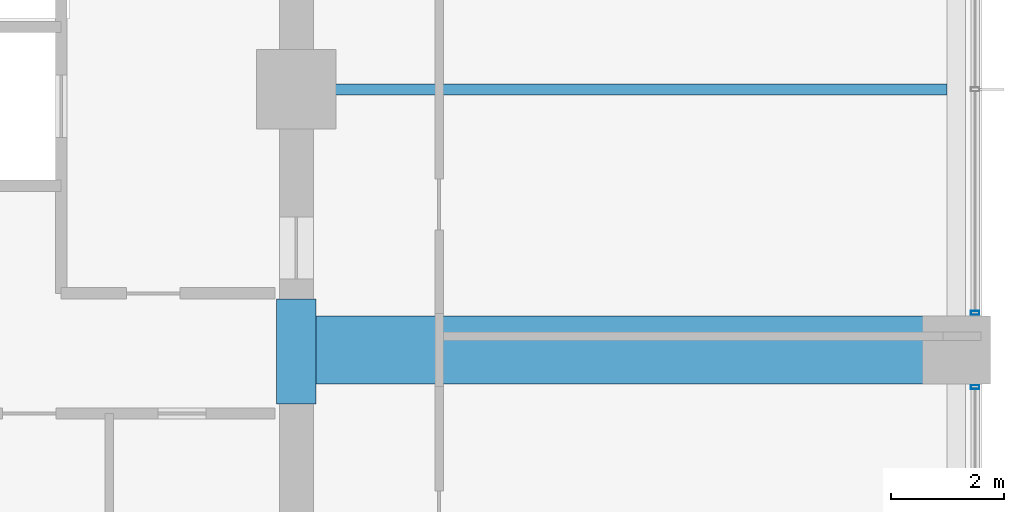
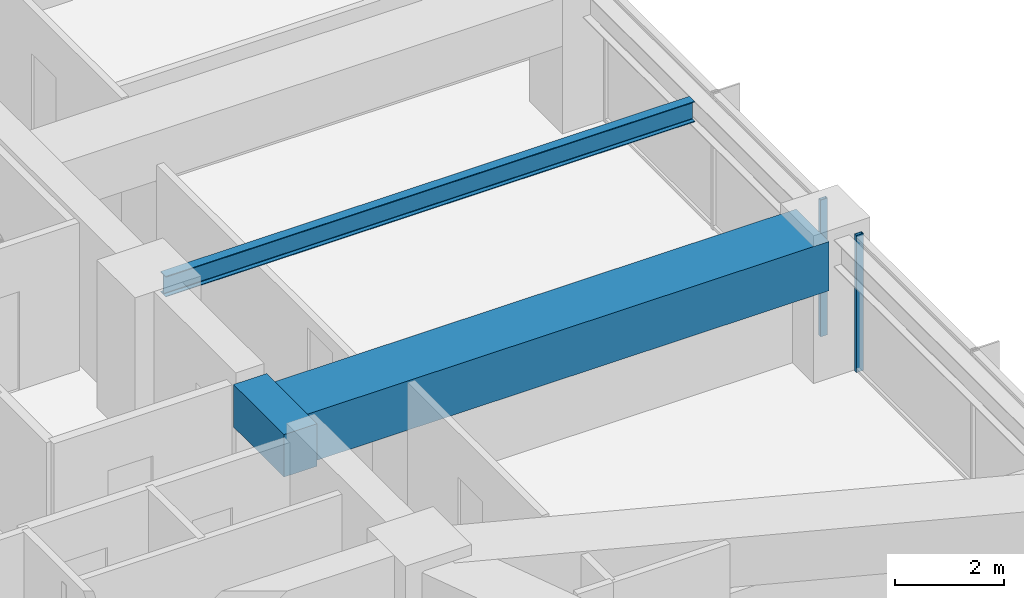
# One storey, part 14 of 37: 3 beams, 2 members, 2 elements without a shape of their own.
"""IFC4 building model written with IfcOpenShell, lengths in metres."""

import ifcopenshell
import ifcopenshell.guid

model = None  # the IFC model being written
_history = None  # IfcOwnerHistory: only IFC2X3 demands one
_inside = {}  # id of a spatial element -> (the spatial element, [elements in it])
_under = {}  # id of a project, library or spatial element -> (it, [spatial elements below it])
_declared = {}  # id of a project -> (the project, [libraries it declares])
_typed = {}  # id of a type object -> (the type object, [elements of that type])
_made_of = {}  # id of a material, layer set ... -> (it, [elements and type objects made of it])


def new_model(schema):
    """Start an empty IFC model of exactly this schema.

    Asked for "IFC4X3", IfcOpenShell would pick the latest addendum, in which some entities
    have other attributes; the version numbers below select the first issue.
    IFC2X3 requires an IfcOwnerHistory on every rooted entity: one is made here for all.
    """
    global model, _history
    if schema == "IFC4X3":
        model = ifcopenshell.file(schema_version=(4, 3, 0, 0))
    else:
        model = ifcopenshell.file(schema=schema)
    _inside.clear()
    _under.clear()
    _declared.clear()
    _typed.clear()
    _made_of.clear()
    _history = None
    if model.schema == "IFC2X3":
        org = make("IfcOrganization", Name="unknown")
        user = make(
            "IfcPersonAndOrganization",
            ThePerson=make("IfcPerson", FamilyName="unknown"),
            TheOrganization=org,
        )
        app = make(
            "IfcApplication",
            ApplicationDeveloper=org,
            Version="unknown",
            ApplicationFullName="unknown",
            ApplicationIdentifier="unknown",
        )
        _history = make(
            "IfcOwnerHistory",
            OwningUser=user,
            OwningApplication=app,
            ChangeAction="ADDED",
            CreationDate=0,
        )
    return model


def make(cls, **values):
    """One entity of the class cls with the attributes given. An attribute that is None is left unset."""
    return model.create_entity(
        cls, **{name: value for name, value in values.items() if value is not None}
    )


def rooted(cls, **values):
    """An entity with a GlobalId (a new one), such as an element, a storey or a relation."""
    return make(cls, GlobalId=ifcopenshell.guid.new(), OwnerHistory=_history, **values)


def si_unit(unit_type, name, prefix=None):
    """IfcSIUnit, for example si_unit("LENGTHUNIT", "METRE", prefix="MILLI")."""
    return make("IfcSIUnit", UnitType=unit_type, Prefix=prefix, Name=name)


def assignment(units):
    """IfcUnitAssignment: the units of a project."""
    return None if units is None else make("IfcUnitAssignment", Units=units)


def point(xyz):
    """IfcCartesianPoint."""
    return None if xyz is None else make("IfcCartesianPoint", Coordinates=xyz)


def direction(xyz):
    """IfcDirection."""
    return None if xyz is None else make("IfcDirection", DirectionRatios=xyz)


def frame(location, z_axis=None, x_axis=None):
    """IfcAxis2Placement3D, a coordinate frame: its origin and axes. An axis left out is left unset."""
    return make(
        "IfcAxis2Placement3D",
        Location=point(location),
        Axis=direction(z_axis),
        RefDirection=direction(x_axis),
    )


def frame_2d(location, x_axis=None):
    """IfcAxis2Placement2D, a coordinate frame in the plane: its origin and x axis."""
    return make(
        "IfcAxis2Placement2D", Location=point(location), RefDirection=direction(x_axis)
    )


def origin():
    """The frame at (0, 0, 0) with its axes left unset."""
    return frame((0.0, 0.0, 0.0))


def origin_2d():
    """The frame at (0, 0) in the plane with its x axis left unset."""
    return frame_2d((0.0, 0.0))


def place(relative_to, where):
    """IfcLocalPlacement: puts the frame where relative to a parent placement (None: the world)."""
    return make(
        "IfcLocalPlacement", PlacementRelTo=relative_to, RelativePlacement=where
    )


def context(
    kind, dimensions, precision=None, world=None, true_north=None, identifier=None
):
    """IfcGeometricRepresentationContext, for example the 3D "Model" context."""
    return make(
        "IfcGeometricRepresentationContext",
        ContextIdentifier=identifier,
        ContextType=kind,
        CoordinateSpaceDimension=dimensions,
        Precision=precision,
        WorldCoordinateSystem=world,
        TrueNorth=true_north,
    )


def subcontext(parent, identifier, kind, view, scale=None):
    """IfcGeometricRepresentationSubContext, for example "Body" below "Model"."""
    return make(
        "IfcGeometricRepresentationSubContext",
        ContextIdentifier=identifier,
        ContextType=kind,
        ParentContext=parent,
        TargetScale=scale,
        TargetView=view,
    )


def project(units=None, contexts=None):
    """IfcProject with its units and contexts."""
    return rooted(
        "IfcProject",
        Name="project",
        RepresentationContexts=contexts,
        UnitsInContext=assignment(units),
    )


def spatial(cls, under=None, at=None, **own):
    """A site, building, storey or space (cls), placed at a placement, below another one or the project."""
    s = rooted(cls, ObjectPlacement=at, **own)
    if under is not None:
        _under.setdefault(under.id(), (under, []))[1].append(s)
    return s


def profile(cls, at=None, kind="AREA", **sizes):
    """A parametric profile (cls). Its sizes go by their IFC names, for example OverallWidth=200.0."""
    return make(cls, ProfileType=kind, Position=at, **sizes)


def rectangle(**sizes):
    """IfcRectangleProfileDef."""
    return profile("IfcRectangleProfileDef", **sizes)


def hollow_rectangle(**sizes):
    """IfcRectangleHollowProfileDef."""
    return profile("IfcRectangleHollowProfileDef", **sizes)


def i_section(**sizes):
    """IfcIShapeProfileDef."""
    return profile("IfcIShapeProfileDef", **sizes)


def extrude(swept, where, along, depth):
    """IfcExtrudedAreaSolid: the profile swept, set in the frame where, extruded along a direction by depth."""
    return make(
        "IfcExtrudedAreaSolid",
        SweptArea=swept,
        Position=where,
        ExtrudedDirection=direction(along),
        Depth=depth,
    )


def shape(context_of_items, identifier, shape_type, items):
    """IfcShapeRepresentation: the items that make up one representation, for example the "Body"."""
    return make(
        "IfcShapeRepresentation",
        ContextOfItems=context_of_items,
        RepresentationIdentifier=identifier,
        RepresentationType=shape_type,
        Items=items,
    )


def material(Name=None, Category=None):
    """IfcMaterial."""
    return make("IfcMaterial", Name=Name, Category=Category)


def material_profile(
    of_material, cross_section, Name=None, Category=None, Priority=None
):
    """IfcMaterialProfile: a cross section and its material."""
    return make(
        "IfcMaterialProfile",
        Name=Name,
        Material=of_material,
        Profile=cross_section,
        Priority=Priority,
        Category=Category,
    )


def profile_set(profiles, Name=None, composite=None):
    """IfcMaterialProfileSet."""
    return make(
        "IfcMaterialProfileSet",
        Name=Name,
        MaterialProfiles=profiles,
        CompositeProfile=composite,
    )


def made_of(thing, what):
    """Note that an element or type object is made of a material, layer set ...; save() writes the relation."""
    if what is not None:
        _made_of.setdefault(what.id(), (what, []))[1].append(thing)
    return thing


def type_object(cls, material=None, **own):
    """A type object (cls), such as IfcWallType, which elements share."""
    return made_of(rooted(cls, **own), material)


def element(
    cls,
    number,
    at=None,
    inside=None,
    cuts=None,
    type_object=None,
    material=None,
    context=None,
    identifier="Body",
    shape_type=None,
    held_by="IfcProductDefinitionShape",
    body=None,
    shapes=None,
    **own,
):
    """One element of the class cls, such as IfcWall. Its Tag is "e" and its number.

    at: its placement. inside: the storey or other place that contains it. cuts: it is an
    opening in that element (IfcRelVoidsElement). A single representation is given by context,
    identifier, shape_type and body (its items); several are given by shapes. held_by: the class
    of the entity that holds the representations. save() writes the other relations.
    """
    e = rooted(cls, Tag="e%d" % number, ObjectPlacement=at, **own)
    if body is not None:
        shapes = [shape(context, identifier, shape_type, body)]
    if shapes is not None:
        e.Representation = make(held_by, Representations=shapes)
    if inside is not None:
        _inside.setdefault(inside.id(), (inside, []))[1].append(e)
    if cuts is not None:
        rooted(
            "IfcRelVoidsElement", RelatingBuildingElement=cuts, RelatedOpeningElement=e
        )
    if type_object is not None:
        _typed.setdefault(type_object.id(), (type_object, []))[1].append(e)
    return made_of(e, material)


def aggregate(whole, parts):
    """IfcRelAggregates: a whole, such as a stair, and the parts it consists of."""
    return rooted("IfcRelAggregates", RelatingObject=whole, RelatedObjects=parts)


def save(model, path):
    """Write the relations noted so far, then the file.

    IfcRelAggregates (storeys below a building ...), IfcRelContainedInSpatialStructure (elements
    in a storey), IfcRelDefinesByType, IfcRelAssociatesMaterial and IfcRelDeclares: one each for
    every whole, place, type object, material and project.
    """
    for whole, parts in _under.values():
        aggregate(whole, parts)
    for where, things in _inside.values():
        rooted(
            "IfcRelContainedInSpatialStructure",
            RelatedElements=things,
            RelatingStructure=where,
        )
    for kind, things in _typed.values():
        rooted("IfcRelDefinesByType", RelatedObjects=things, RelatingType=kind)
    for what, things in _made_of.values():
        rooted("IfcRelAssociatesMaterial", RelatedObjects=things, RelatingMaterial=what)
    for by, libraries in _declared.values():
        rooted("IfcRelDeclares", RelatingContext=by, RelatedDefinitions=libraries)
    model.write(path)


model = new_model("IFC4")

# Units and contexts
model_context = context("Model", 3, precision=1e-05, world=origin(), true_north=direction((0.0, 1.0)))
body_context = subcontext(model_context, "Body", "Model", "MODEL_VIEW")
ifc_project = project(units=[si_unit("LENGTHUNIT", "METRE"), si_unit("AREAUNIT", "SQUARE_METRE"), si_unit("VOLUMEUNIT", "CUBIC_METRE"), si_unit("PLANEANGLEUNIT", "RADIAN"), si_unit("MASSUNIT", "GRAM", prefix="KILO")], contexts=[model_context])

# Site, building, storey
site_placement = place(None, origin())
site = spatial("IfcSite", under=ifc_project, at=site_placement, CompositionType="ELEMENT")
building_placement = place(site_placement, origin())
building = spatial("IfcBuilding", under=site, at=building_placement, Name="Kolvaren Belvedere", CompositionType="ELEMENT")
storey_placement = place(building_placement, frame((0.0, 0.0, 37.0)))
storey = spatial("IfcBuildingStorey", under=building, at=storey_placement, Name="L10", CompositionType="ELEMENT", Elevation=37.0)

# Beams
ifc_material_1 = material(Name="Structural steel ASTM A992 Grade 50", Category="steel")
ifc_material_profile_1 = material_profile(ifc_material_1, i_section(OverallWidth=0.19091796875, OverallDepth=0.4599609375, WebThickness=0.010009765625, FlangeThickness=0.01611328125, FilletRadius=0.014892578125, at=origin_2d()), Name="W18X55")
ifc_profile_set_1 = profile_set([ifc_material_profile_1], Name="Structural steel ASTM A992 Grade 50")
beam_type_1 = type_object("IfcBeamType", Name="BM-JOIST-W18X55", PredefinedType="BEAM", material=ifc_profile_set_1)
beam_1_placement = place(storey_placement, frame((10.199951171875, 0.0, 2.830078125), z_axis=(1.0, 0.0, 0.0), x_axis=(0.0, 1.0, 0.0)))
element("IfcBeam", 1, at=beam_1_placement, inside=storey, type_object=beam_type_1, Name="L10 East Centre Floor Beam", PredefinedType="BEAM", context=body_context, shape_type="SweptSolid", body=[
    extrude(i_section(OverallWidth=0.19091796875, OverallDepth=0.4599609375, WebThickness=0.010009765625, FlangeThickness=0.01611328125, FilletRadius=0.014892578125, at=origin_2d()), origin(), (0.0, 0.0, 1.0), 11.1875),
])
ifc_material_2 = material(Name="Concrete C60/75", Category="concrete")
ifc_material_profile_2 = material_profile(ifc_material_2, rectangle(XDim=0.699951171875, YDim=0.949951171875, at=origin_2d()), Name="RC 700X950")
ifc_profile_set_2 = profile_set([ifc_material_profile_2], Name="Concrete C60/75")
beam_type_2 = type_object("IfcBeamType", Name="BM-LINT-950", PredefinedType="LINTEL", material=ifc_profile_set_2)
beam_2_placement = place(storey_placement, frame((9.89990234375, -5.550048828125, 2.5849609375), z_axis=(0.0, 1.0, 0.0), x_axis=(-1.0, 0.0, 0.0)))
element("IfcBeam", 2, at=beam_2_placement, inside=storey, type_object=beam_type_2, Name="L10 East Core Coupling Lintel", PredefinedType="LINTEL", context=body_context, shape_type="SweptSolid", body=[
    extrude(rectangle(XDim=0.699951171875, YDim=0.949951171875, at=origin_2d()), origin(), (0.0, 0.0, 1.0), 1.85009765625),
])
ifc_material_3 = material(Name="Concrete C50/60", Category="concrete")
ifc_material_profile_3 = material_profile(ifc_material_3, rectangle(XDim=1.199951171875, YDim=1.10009765625, at=origin_2d()), Name="RC 1200X1100")
ifc_profile_set_3 = profile_set([ifc_material_profile_3], Name="Concrete C50/60")
beam_type_3 = type_object("IfcBeamType", Name="BM-TG-1100", PredefinedType="BEAM", material=ifc_profile_set_3)
beam_3_placement = place(storey_placement, frame((10.199951171875, -4.60009765625, 2.510009765625), z_axis=(1.0, 0.0, 0.0), x_axis=(0.0, 1.0, 0.0)))
element("IfcBeam", 3, at=beam_3_placement, inside=storey, type_object=beam_type_3, Name="L10 East Radial Girder M", PredefinedType="BEAM", context=body_context, shape_type="SweptSolid", body=[
    extrude(rectangle(XDim=1.199951171875, YDim=1.10009765625, at=origin_2d()), origin(), (0.0, 0.0, 1.0), 11.080078125),
])

# Curtain wall, member
ifc_material_4 = material(Name="Anodised pale-metal aluminium AA 6063-T6", Category="aluminium")
curtain_wall_type = type_object("IfcCurtainWallType", Name="CW-Z1-LOW", PredefinedType="NOTDEFINED", material=ifc_material_4)
curtain_wall_1_placement = place(storey_placement, origin())
curtain_wall_1 = element("IfcCurtainWall", 4, at=curtain_wall_1_placement, inside=storey, type_object=curtain_wall_type, Name="L10 Unitised Curtain Wall FCW-L10-E-B2", PredefinedType="NOTDEFINED")
ifc_material_5 = material(Name="Anodised pale-metal aluminium AA 6063-T6", Category="aluminium")
ifc_material_profile_4 = material_profile(ifc_material_5, hollow_rectangle(XDim=0.070068359375, YDim=0.14990234375, WallThickness=0.004150390625, at=origin_2d()), Name="ALU-MUL-150X70")
ifc_profile_set_4 = profile_set([ifc_material_profile_4], Name="Anodised pale-metal aluminium AA 6063-T6")
member_type = type_object("IfcMemberType", Name="CW-MUL-150", PredefinedType="MULLION", material=ifc_profile_set_4)
member_1_placement = place(storey_placement, frame((21.8798828125, -3.945068359375, 0.0), z_axis=(0.0, 0.0, 1.0), x_axis=(0.0, 1.0, 0.0)))
member_1 = element("IfcMember", 5, at=member_1_placement, type_object=member_type, Name="FCW-L10-E-B2 Unitised Mullion 3", PredefinedType="MULLION", context=body_context, shape_type="SweptSolid", body=[
    extrude(hollow_rectangle(XDim=0.070068359375, YDim=0.14990234375, WallThickness=0.004150390625, at=origin_2d()), origin(), (0.0, 0.0, 1.0), 3.06005859375),
])
aggregate(curtain_wall_1, [member_1])

curtain_wall_2_placement = place(storey_placement, origin())
curtain_wall_2 = element("IfcCurtainWall", 6, at=curtain_wall_2_placement, inside=storey, type_object=curtain_wall_type, Name="L10 Unitised Curtain Wall FCW-L10-E-B3", PredefinedType="NOTDEFINED")
member_2_placement = place(storey_placement, frame((21.8798828125, -5.2548828125, 0.0), z_axis=(0.0, 0.0, 1.0), x_axis=(0.0, 1.0, 0.0)))
member_2 = element("IfcMember", 7, at=member_2_placement, type_object=member_type, Name="FCW-L10-E-B3 Unitised Mullion 1", PredefinedType="MULLION", context=body_context, shape_type="SweptSolid", body=[
    extrude(hollow_rectangle(XDim=0.070068359375, YDim=0.14990234375, WallThickness=0.004150390625, at=origin_2d()), origin(), (0.0, 0.0, 1.0), 3.06005859375),
])
aggregate(curtain_wall_2, [member_2])

save(model, "model.ifc")
